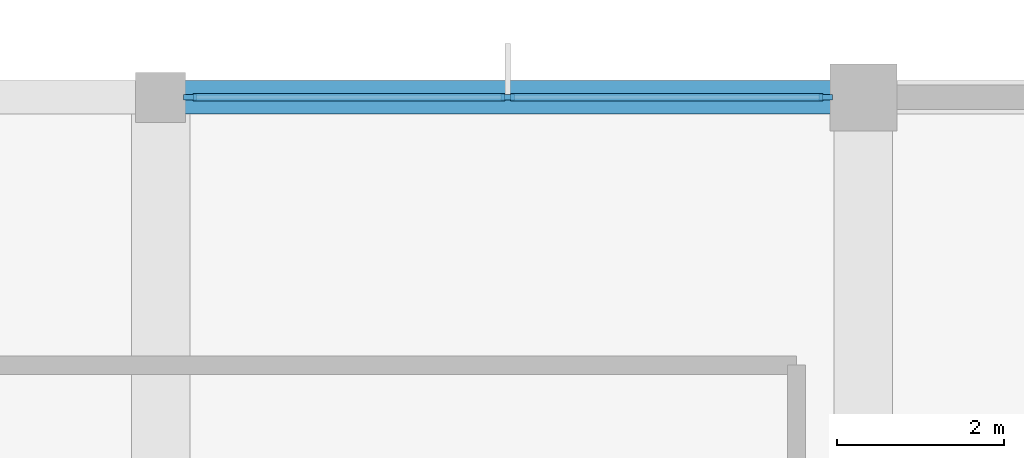
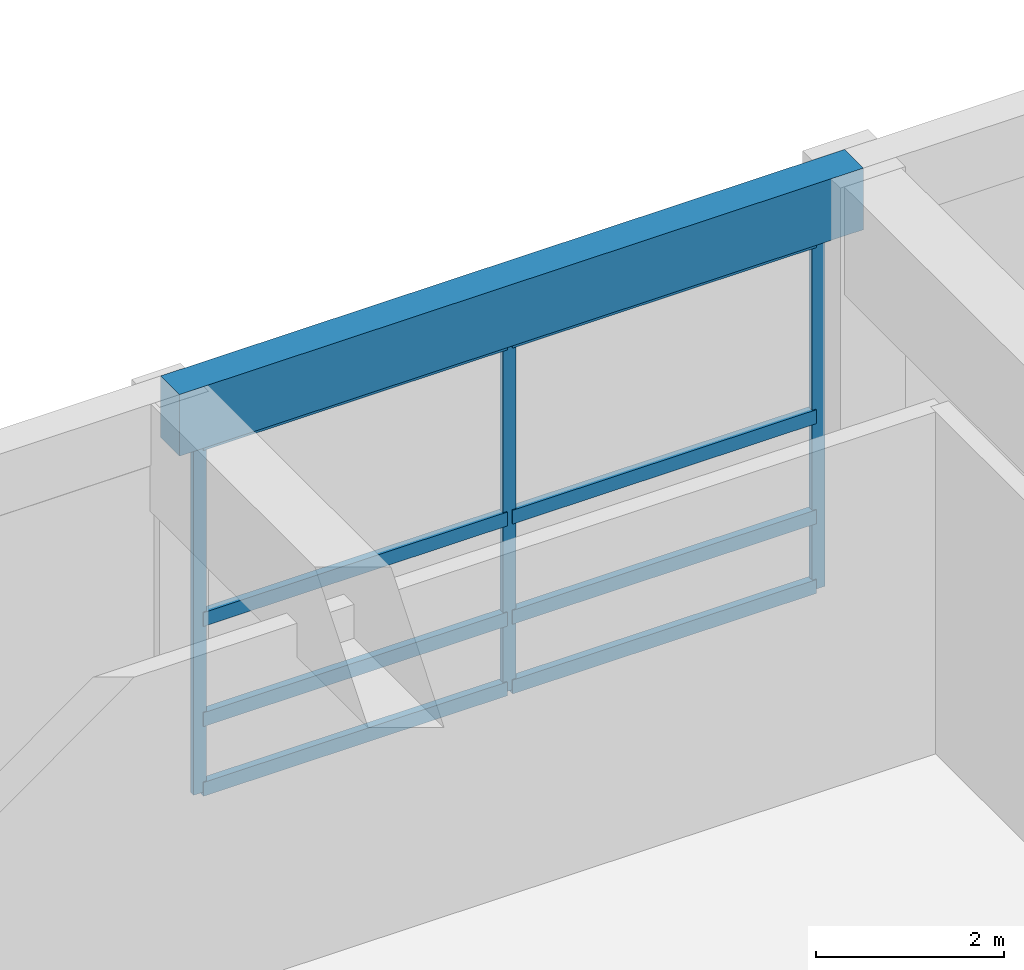
# One storey, part 25 of 62: 11 members, 1 beam, 1 element without a shape of its own.
"""IFC4 building model written with IfcOpenShell, lengths in metres."""

from ifc_helpers import new_model, si_unit, direction, frame, origin, origin_2d, place, context, subcontext, project, spatial, rectangle, extrude, material, material_profile, profile_set, type_object, element, aggregate, save


model = new_model("IFC4")

# Units and contexts
model_context = context("Model", 3, precision=1e-05, world=origin(), true_north=direction((0.0, 1.0)))
body_context = subcontext(model_context, "Body", "Model", "MODEL_VIEW")
ifc_project = project(units=[si_unit("LENGTHUNIT", "METRE"), si_unit("AREAUNIT", "SQUARE_METRE"), si_unit("VOLUMEUNIT", "CUBIC_METRE"), si_unit("PLANEANGLEUNIT", "RADIAN"), si_unit("MASSUNIT", "GRAM", prefix="KILO")], contexts=[model_context])

# Site, building, storey
site_placement = place(None, origin())
site = spatial("IfcSite", under=ifc_project, at=site_placement, CompositionType="ELEMENT")
building_placement = place(site_placement, origin())
building = spatial("IfcBuilding", under=site, at=building_placement, Name="Xuanlan Plaza Opera House", CompositionType="ELEMENT")
storey_placement = place(building_placement, origin())
storey = spatial("IfcBuildingStorey", under=building, at=storey_placement, Name="L00", CompositionType="ELEMENT", Elevation=0.0)

# Curtain wall, members
ifc_material_1 = material(Name="Anodised Aluminium 6063-T6 and Low-E Glass", Category="aluminium")
curtain_wall_type = type_object("IfcCurtainWallType", Name="ENV-CW-CW-05", PredefinedType="USERDEFINED", material=ifc_material_1)
curtain_wall_placement = place(storey_placement, origin())
curtain_wall = element("IfcCurtainWall", 1, at=curtain_wall_placement, inside=storey, type_object=curtain_wall_type, Name="Acoustic Glazed Wall L00-034", ObjectType="ACOUSTIC GLAZED WALL", PredefinedType="USERDEFINED")
ifc_material_2 = material(Name="Anodised Aluminium 6063-T6", Category="aluminium")
ifc_material_profile_1 = material_profile(ifc_material_2, rectangle(XDim=0.06494140625, YDim=0.159912109375, at=origin_2d()), Name="ALU-M 65x160")
ifc_profile_set_1 = profile_set([ifc_material_profile_1], Name="Anodised Aluminium 6063-T6")
member_type_1 = type_object("IfcMemberType", Name="ENV-CWM-01", PredefinedType="MULLION", material=ifc_profile_set_1)
member_1_placement = place(storey_placement, frame((125.547607421875, 117.60009765625, 0.0), z_axis=(0.0, 0.0, 1.0), x_axis=(0.0, -1.0, 0.0)))
member_1 = element("IfcMember", 2, at=member_1_placement, type_object=member_type_1, Name="CW-05 mullion 1", PredefinedType="MULLION", context=body_context, shape_type="SweptSolid", body=[
    extrude(rectangle(XDim=0.06494140625, YDim=0.159912109375, at=origin_2d()), origin(), (0.0, 0.0, 1.0), 4.580078125),
])
member_2_placement = place(storey_placement, frame((121.75, 117.60009765625, 0.0), z_axis=(0.0, 0.0, 1.0), x_axis=(0.0, -1.0, 0.0)))
member_2 = element("IfcMember", 3, at=member_2_placement, type_object=member_type_1, Name="CW-05 mullion 2", PredefinedType="MULLION", context=body_context, shape_type="SweptSolid", body=[
    extrude(rectangle(XDim=0.06494140625, YDim=0.159912109375, at=origin_2d()), origin(), (0.0, 0.0, 1.0), 4.580078125),
])
member_3_placement = place(storey_placement, frame((117.952392578125, 117.60009765625, 0.0), z_axis=(0.0, 0.0, 1.0), x_axis=(0.0, -1.0, 0.0)))
member_3 = element("IfcMember", 4, at=member_3_placement, type_object=member_type_1, Name="CW-05 mullion 3", PredefinedType="MULLION", context=body_context, shape_type="SweptSolid", body=[
    extrude(rectangle(XDim=0.06494140625, YDim=0.159912109375, at=origin_2d()), origin(), (0.0, 0.0, 1.0), 4.580078125),
])
ifc_material_profile_2 = material_profile(ifc_material_2, rectangle(XDim=0.090087890625, YDim=0.179931640625, at=origin_2d()), Name="ALU-T 90x180")
ifc_profile_set_2 = profile_set([ifc_material_profile_2], Name="Anodised Aluminium 6063-T6")
member_type_2 = type_object("IfcMemberType", Name="ENV-CWT-05", PredefinedType="USERDEFINED", material=ifc_profile_set_2)
member_4_placement = place(storey_placement, frame((125.514892578125, 117.60009765625, 0.044921875), z_axis=(-1.0, 0.0, 0.0), x_axis=(0.0, -1.0, 0.0)))
member_4 = element("IfcMember", 5, at=member_4_placement, type_object=member_type_2, Name="CW-05 transom 1.1", ObjectType="TRANSOM", PredefinedType="USERDEFINED", context=body_context, shape_type="SweptSolid", body=[
    extrude(rectangle(XDim=0.090087890625, YDim=0.179931640625, at=origin_2d()), origin(), (0.0, 0.0, 1.0), 3.732421875),
])
member_5_placement = place(storey_placement, frame((125.514892578125, 117.60009765625, 0.949951171875), z_axis=(-1.0, 0.0, 0.0), x_axis=(0.0, -1.0, 0.0)))
member_5 = element("IfcMember", 6, at=member_5_placement, type_object=member_type_2, Name="CW-05 transom 1.2", ObjectType="TRANSOM", PredefinedType="USERDEFINED", context=body_context, shape_type="SweptSolid", body=[
    extrude(rectangle(XDim=0.090087890625, YDim=0.179931640625, at=origin_2d()), origin(), (0.0, 0.0, 1.0), 3.732421875),
])
member_6_placement = place(storey_placement, frame((125.514892578125, 117.60009765625, 2.25), z_axis=(-1.0, 0.0, 0.0), x_axis=(0.0, -1.0, 0.0)))
member_6 = element("IfcMember", 7, at=member_6_placement, type_object=member_type_2, Name="CW-05 transom 1.3", ObjectType="TRANSOM", PredefinedType="USERDEFINED", context=body_context, shape_type="SweptSolid", body=[
    extrude(rectangle(XDim=0.090087890625, YDim=0.179931640625, at=origin_2d()), origin(), (0.0, 0.0, 1.0), 3.732421875),
])
member_7_placement = place(storey_placement, frame((125.514892578125, 117.60009765625, 4.534912109375), z_axis=(-1.0, 0.0, 0.0), x_axis=(0.0, -1.0, 0.0)))
member_7 = element("IfcMember", 8, at=member_7_placement, type_object=member_type_2, Name="CW-05 transom 1.4", ObjectType="TRANSOM", PredefinedType="USERDEFINED", context=body_context, shape_type="SweptSolid", body=[
    extrude(rectangle(XDim=0.090087890625, YDim=0.179931640625, at=origin_2d()), origin(), (0.0, 0.0, 1.0), 3.732421875),
])
member_8_placement = place(storey_placement, frame((121.717529296875, 117.60009765625, 0.044921875), z_axis=(-1.0, 0.0, 0.0), x_axis=(0.0, -1.0, 0.0)))
member_8 = element("IfcMember", 9, at=member_8_placement, type_object=member_type_2, Name="CW-05 transom 2.1", ObjectType="TRANSOM", PredefinedType="USERDEFINED", context=body_context, shape_type="SweptSolid", body=[
    extrude(rectangle(XDim=0.090087890625, YDim=0.179931640625, at=origin_2d()), origin(), (0.0, 0.0, 1.0), 3.732421875),
])
member_9_placement = place(storey_placement, frame((121.717529296875, 117.60009765625, 0.949951171875), z_axis=(-1.0, 0.0, 0.0), x_axis=(0.0, -1.0, 0.0)))
member_9 = element("IfcMember", 10, at=member_9_placement, type_object=member_type_2, Name="CW-05 transom 2.2", ObjectType="TRANSOM", PredefinedType="USERDEFINED", context=body_context, shape_type="SweptSolid", body=[
    extrude(rectangle(XDim=0.090087890625, YDim=0.179931640625, at=origin_2d()), origin(), (0.0, 0.0, 1.0), 3.732421875),
])
member_10_placement = place(storey_placement, frame((121.717529296875, 117.60009765625, 2.25), z_axis=(-1.0, 0.0, 0.0), x_axis=(0.0, -1.0, 0.0)))
member_10 = element("IfcMember", 11, at=member_10_placement, type_object=member_type_2, Name="CW-05 transom 2.3", ObjectType="TRANSOM", PredefinedType="USERDEFINED", context=body_context, shape_type="SweptSolid", body=[
    extrude(rectangle(XDim=0.090087890625, YDim=0.179931640625, at=origin_2d()), origin(), (0.0, 0.0, 1.0), 3.732421875),
])
member_11_placement = place(storey_placement, frame((121.717529296875, 117.60009765625, 4.534912109375), z_axis=(-1.0, 0.0, 0.0), x_axis=(0.0, -1.0, 0.0)))
member_11 = element("IfcMember", 12, at=member_11_placement, type_object=member_type_2, Name="CW-05 transom 2.4", ObjectType="TRANSOM", PredefinedType="USERDEFINED", context=body_context, shape_type="SweptSolid", body=[
    extrude(rectangle(XDim=0.090087890625, YDim=0.179931640625, at=origin_2d()), origin(), (0.0, 0.0, 1.0), 3.732421875),
])
aggregate(curtain_wall, [member_1, member_2, member_3, member_4, member_5, member_6, member_7, member_8, member_9, member_10, member_11])

# Beam
ifc_material_3 = material(Name="Concrete C40", Category="concrete")
ifc_material_profile_3 = material_profile(ifc_material_3, rectangle(XDim=0.39990234375, YDim=0.800048828125, at=origin_2d()), Name="RC-SPD 400x800")
ifc_profile_set_3 = profile_set([ifc_material_profile_3], Name="Concrete C40")
beam_type = type_object("IfcBeamType", Name="STR-BM-SP-01", PredefinedType="SPANDREL", material=ifc_profile_set_3)
beam_placement = place(storey_placement, frame((117.60009765625, 117.60009765625, 5.0), z_axis=(1.0, 0.0, 0.0), x_axis=(0.0, 1.0, 0.0)))
element("IfcBeam", 13, at=beam_placement, inside=storey, type_object=beam_type, Name="Grid Beam X L00 15-16/O", PredefinedType="SPANDREL", context=body_context, shape_type="SweptSolid", body=[
    extrude(rectangle(XDim=0.39990234375, YDim=0.800048828125, at=origin_2d()), origin(), (0.0, 0.0, 1.0), 8.39990234375),
])

save(model, "model.ifc")
